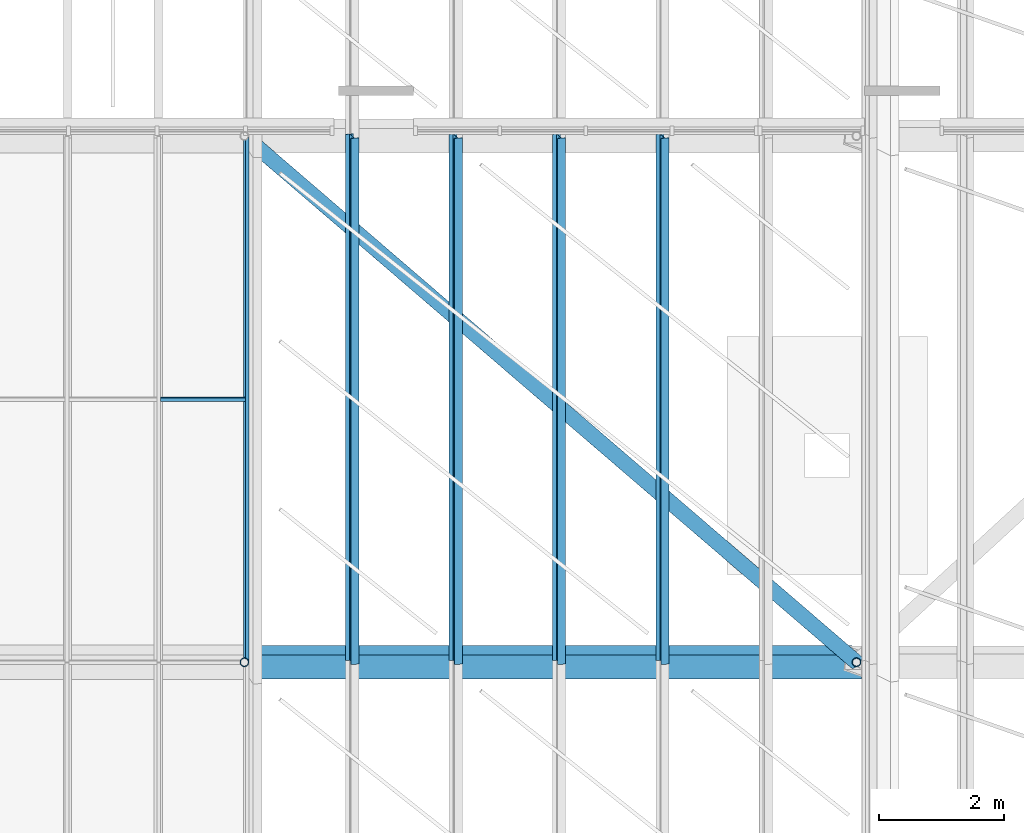
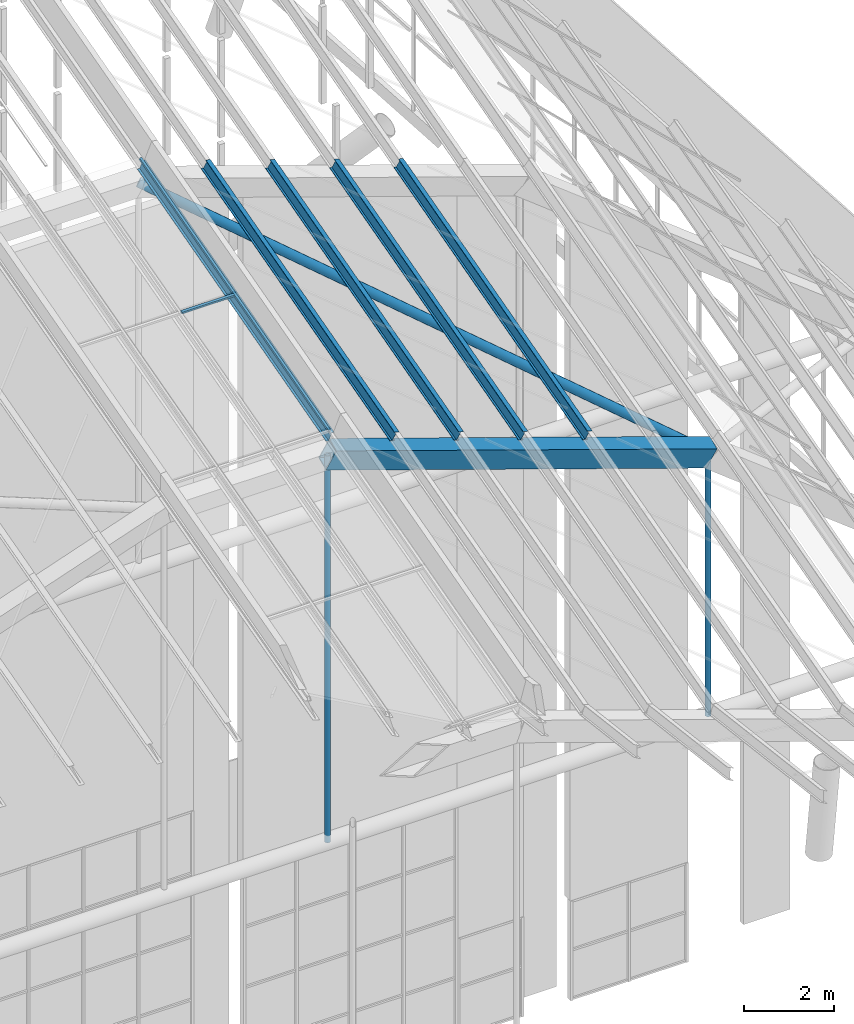
# One storey, part 61 of 126: 10 members, 1 beam.
"""IFC4 building model written with IfcOpenShell, lengths in metres."""

from ifc_helpers import new_model, si_unit, direction, frame, origin, origin_2d, place, context, subcontext, project, spatial, polyline, rectangle, hollow_circle, i_section, outline, extrude, material, material_profile, profile_set, type_object, element, save


model = new_model("IFC4")

# Units and contexts
model_context = context("Model", 3, precision=1e-05, world=origin(), true_north=direction((0.0, 1.0)))
body_context = subcontext(model_context, "Body", "Model", "MODEL_VIEW")
ifc_project = project(units=[si_unit("LENGTHUNIT", "METRE"), si_unit("AREAUNIT", "SQUARE_METRE"), si_unit("VOLUMEUNIT", "CUBIC_METRE"), si_unit("PLANEANGLEUNIT", "RADIAN"), si_unit("MASSUNIT", "GRAM", prefix="KILO")], contexts=[model_context])

# Site, building, storey
site_placement = place(None, origin())
site = spatial("IfcSite", under=ifc_project, at=site_placement, CompositionType="ELEMENT")
building_placement = place(site_placement, origin())
building = spatial("IfcBuilding", under=site, at=building_placement, Name="Sava Quay Ferry Terminal", CompositionType="ELEMENT")
storey_placement = place(building_placement, frame((0.0, 0.0, 15.0)))
storey = spatial("IfcBuildingStorey", under=building, at=storey_placement, Name="L03", CompositionType="ELEMENT", Elevation=15.0)

# Beam
ifc_material_1 = material(Name="Steel S355", Category="steel")
ifc_material_profile_1 = material_profile(ifc_material_1, outline(polyline([(-0.199951171875, -0.300048828125), (0.199951171875, -0.300048828125), (0.199951171875, 0.300048828125), (-0.199951171875, 0.300048828125), (-0.199951171875, -0.300048828125)]), holes=[polyline([(-0.175048828125, -0.27490234375), (-0.175048828125, 0.27490234375), (0.175048828125, 0.27490234375), (0.175048828125, -0.27490234375), (-0.175048828125, -0.27490234375)])]), Name="Box 600x400x25 built-up")
ifc_profile_set_1 = profile_set([ifc_material_profile_1], Name="Steel S355")
beam_type = type_object("IfcBeamType", Name="D folded rib Box 600x400x25", PredefinedType="BEAM", material=ifc_profile_set_1)
beam_placement = place(storey_placement, frame((65.10009765625, 92.39990234375, 23.82421875), z_axis=(0.945520775213, 0.0, -0.325561766247), x_axis=(0.081528715924, 0.968136073541, 0.236781780523)))
element("IfcBeam", 1, at=beam_placement, inside=storey, type_object=beam_type, Name="Departure hall folded rib R5 seg 4", PredefinedType="BEAM", context=body_context, shape_type="SweptSolid", body=[
    extrude(outline(polyline([(-0.199951171875, -0.300048828125), (0.199951171875, -0.300048828125), (0.199951171875, 0.300048828125), (-0.199951171875, 0.300048828125), (-0.199951171875, -0.300048828125)]), holes=[polyline([(-0.175048828125, -0.27490234375), (-0.175048828125, 0.27490234375), (0.175048828125, 0.27490234375), (0.175048828125, -0.27490234375), (-0.175048828125, -0.27490234375)])]), origin(), (0.0, 0.0, 1.0), 10.3330078125),
])

# Members
ifc_material_2 = material(Name="Aluminium EN AW-6063 T6", Category="aluminium")
ifc_material_profile_2 = material_profile(ifc_material_2, rectangle(XDim=0.06005859375, YDim=0.06005859375, at=origin_2d()), Name="Bar 60 x 60")
ifc_profile_set_2 = profile_set([ifc_material_profile_2], Name="Aluminium EN AW-6063 T6")
member_type_1 = type_object("IfcMemberType", Name="Glazing bar 60x60", PredefinedType="USERDEFINED", material=ifc_profile_set_2)
member_1_placement = place(storey_placement, frame((65.14697265625, 92.39990234375, 24.4462890625), z_axis=(0.0, 0.964555206992, 0.26388113359), x_axis=(-1.0, 0.0, 0.0)))
element("IfcMember", 2, at=member_1_placement, inside=storey, type_object=member_type_1, Name="Departure hall glazing bar D-B5-GL2.3", ObjectType="GLAZING BAR", PredefinedType="USERDEFINED", context=body_context, shape_type="SweptSolid", body=[
    extrude(rectangle(XDim=0.06005859375, YDim=0.06005859375, at=origin_2d()), origin(), (0.0, 0.0, 1.0), 8.708740234375),
])
member_2_placement = place(storey_placement, frame((63.762451171875, 96.60009765625, 25.59521484375), z_axis=(1.0, 0.0, 0.0), x_axis=(0.0, 0.964556832817, 0.263875190699)))
element("IfcMember", 3, at=member_2_placement, inside=storey, type_object=member_type_1, Name="Departure hall glazing bar D-B5M-GT2.2", ObjectType="GLAZING BAR", PredefinedType="USERDEFINED", context=body_context, shape_type="SweptSolid", body=[
    extrude(rectangle(XDim=0.06005859375, YDim=0.06005859375, at=origin_2d()), origin(), (0.0, 0.0, 1.0), 1.3544921875),
])
ifc_material_3 = material(Name="Steel S355", Category="steel")
ifc_material_profile_3 = material_profile(ifc_material_3, hollow_circle(Radius=0.122314453125, WallThickness=0.008056640625, at=origin_2d()), Name="CHS 244.5 x 8.0")
ifc_profile_set_3 = profile_set([ifc_material_profile_3], Name="Steel S355")
member_type_2 = type_object("IfcMemberType", Name="Roof brace CHS 244.5x8", PredefinedType="BRACE", material=ifc_profile_set_3)
member_3_placement = place(storey_placement, frame((74.8701171875, 92.39990234375, 20.460205078125), z_axis=(-0.694193196095, 0.596859045881, 0.402312174617), x_axis=(-0.651946898046, -0.758264625397, 0.0)))
element("IfcMember", 4, at=member_3_placement, inside=storey, type_object=member_type_2, Name="Departure hall roof brace bay 6 panel 4", PredefinedType="BRACE", context=body_context, shape_type="SweptSolid", body=[
    extrude(hollow_circle(Radius=0.122314453125, WallThickness=0.008056640625, at=origin_2d()), origin(), (0.0, 0.0, 1.0), 14.073974609375),
])
ifc_material_4 = material(Name="Steel S355", Category="steel")
ifc_material_profile_4 = material_profile(ifc_material_4, i_section(OverallWidth=0.135009765625, OverallDepth=0.27001953125, WebThickness=0.006591796875, FlangeThickness=0.01025390625, at=origin_2d()), Name="IPE 270")
ifc_profile_set_4 = profile_set([ifc_material_profile_4], Name="Steel S355")
member_type_3 = type_object("IfcMemberType", Name="Roof purlin IPE 270", PredefinedType="PURLIN", material=ifc_profile_set_4)
for number, where, z_axis, x_axis, name in (
    (5, (65.17041015625, 92.39990234375, 24.275146484375), (0.0, 0.964555206992, 0.26388113359), (-0.987174546341, -0.04212721186, 0.153986080789), "Departure hall purlin bay 6 V3"),
    (6, (66.821044921875, 92.39990234375, 23.706787109375), (0.0, 0.964555206992, 0.26388113359), (-0.949027169883, -0.083173822518, 0.304022278908), "Departure hall purlin bay 6 M3.1"),
    (7, (68.471923828125, 92.39990234375, 23.138427734375), (0.0, 0.964555206992, 0.26388113359), (-0.949027169883, -0.083173822518, 0.304022278908), "Departure hall purlin bay 6 M3.2"),
    (8, (70.12255859375, 92.39990234375, 22.570068359375), (0.0, 0.964562342049, 0.263855051686), (-0.949027169883, -0.083165601651, 0.304024527837), "Departure hall purlin bay 6 M3.3"),
    (9, (71.7734375, 92.39990234375, 22.001708984375), (0.0, 0.964562342049, 0.263855051686), (-0.949027169883, -0.083165601651, 0.304024527837), "Departure hall purlin bay 6 M3.4"),
):
    element("IfcMember", number, at=place(storey_placement, frame(where, z_axis=z_axis, x_axis=x_axis)), inside=storey, type_object=member_type_3, Name=name, PredefinedType="PURLIN", context=body_context, shape_type="SweptSolid", body=[
        extrude(i_section(OverallWidth=0.135009765625, OverallDepth=0.27001953125, WebThickness=0.006591796875, FlangeThickness=0.01025390625, at=origin_2d()), origin(), (0.0, 0.0, 1.0), 8.708740234375),
    ])
ifc_material_5 = material(Name="Steel S355", Category="steel")
ifc_material_profile_5 = material_profile(ifc_material_5, hollow_circle(Radius=0.06982421875, WallThickness=0.008056640625, at=origin_2d()), Name="CHS 139.7 x 8.0")
ifc_profile_set_5 = profile_set([ifc_material_profile_5], Name="Steel S355")
member_type_4 = type_object("IfcMemberType", Name="Tie hanger CHS 139.7x8", PredefinedType="USERDEFINED", material=ifc_profile_set_5)
member_4_placement = place(storey_placement, frame((65.10009765625, 92.39990234375, 13.326904296875), z_axis=(0.0, 0.0, 1.0), x_axis=(1.0, 0.0, 0.0)))
element("IfcMember", 10, at=member_4_placement, inside=storey, type_object=member_type_4, Name="Departure hall tie hanger R5 V3", ObjectType="TIE HANGER", PredefinedType="USERDEFINED", context=body_context, shape_type="SweptSolid", body=[
    extrude(hollow_circle(Radius=0.06982421875, WallThickness=0.008056640625, at=origin_2d()), origin(), (0.0, 0.0, 1.0), 10.497314453125),
])
member_5_placement = place(storey_placement, frame((74.8701171875, 92.39990234375, 13.326904296875), z_axis=(0.0, 0.0, 1.0), x_axis=(1.0, 0.0, 0.0)))
element("IfcMember", 11, at=member_5_placement, inside=storey, type_object=member_type_4, Name="Departure hall tie hanger R5 V4", ObjectType="TIE HANGER", PredefinedType="USERDEFINED", context=body_context, shape_type="SweptSolid", body=[
    extrude(hollow_circle(Radius=0.06982421875, WallThickness=0.008056640625, at=origin_2d()), origin(), (0.0, 0.0, 1.0), 7.13330078125),
])

save(model, "model.ifc")
